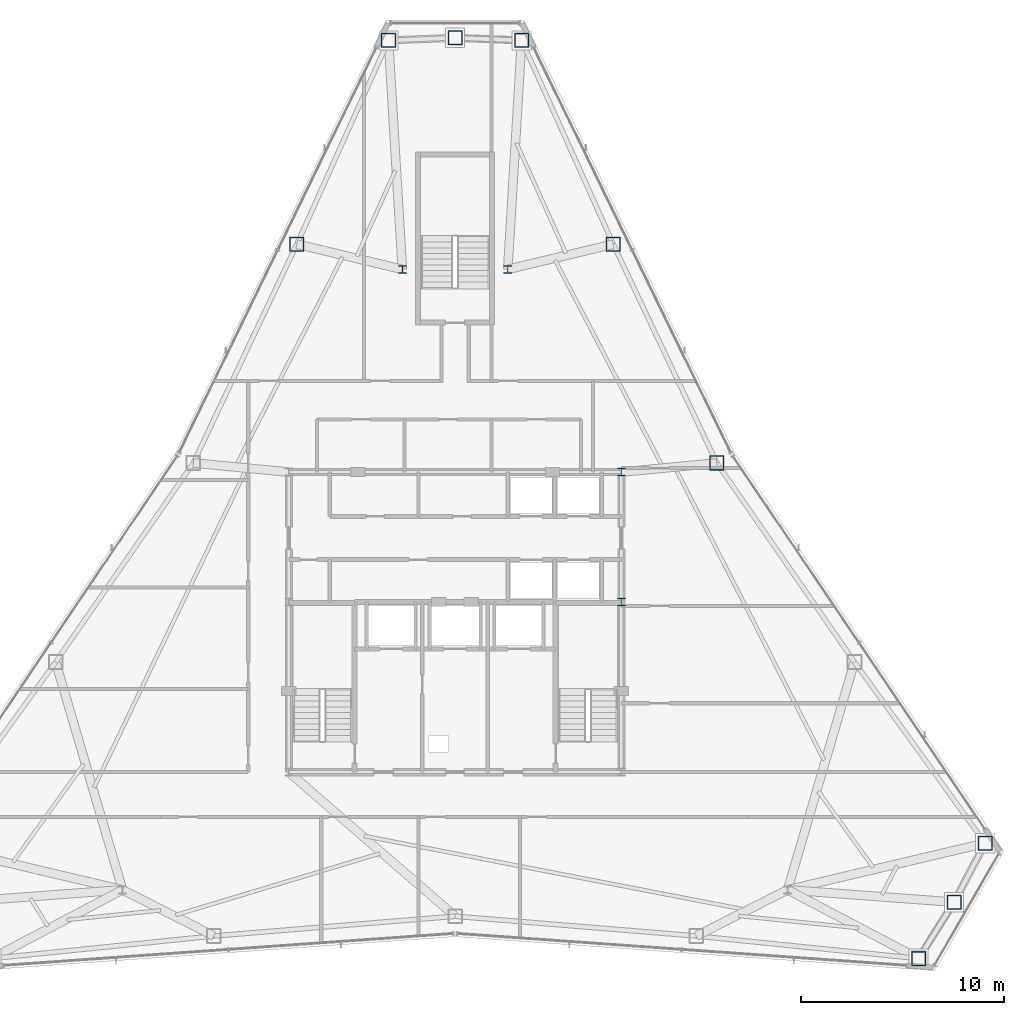
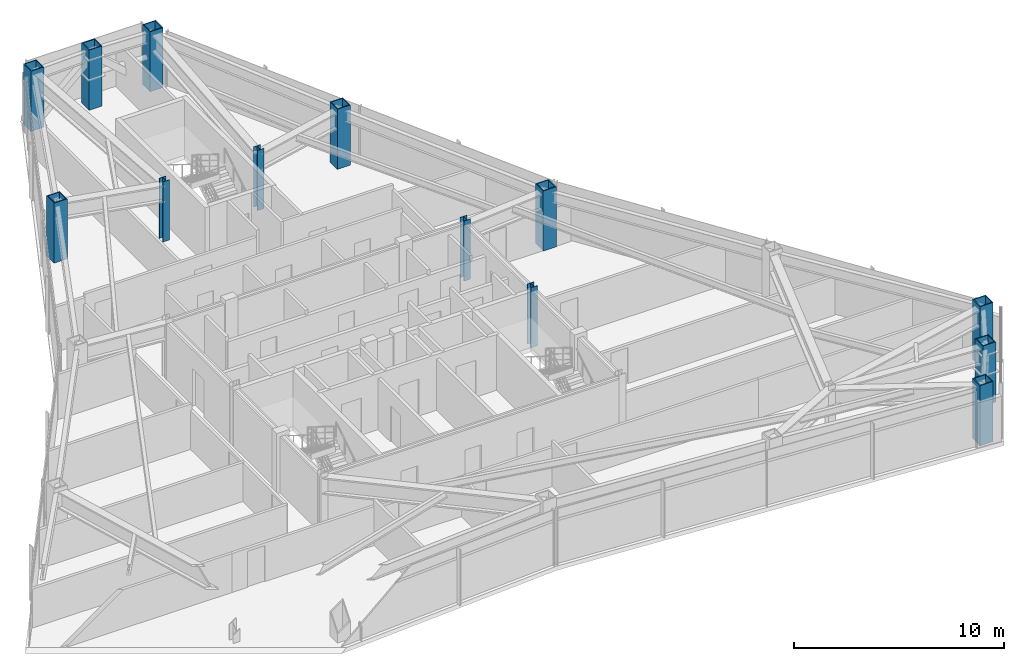
# One storey, part 2 of 12: 13 columns.
"""IFC4 building model written with IfcOpenShell, lengths in metres."""

import ifcopenshell
import ifcopenshell.guid

model = None  # the IFC model being written
_history = None  # IfcOwnerHistory: only IFC2X3 demands one
_inside = {}  # id of a spatial element -> (the spatial element, [elements in it])
_under = {}  # id of a project, library or spatial element -> (it, [spatial elements below it])
_declared = {}  # id of a project -> (the project, [libraries it declares])
_typed = {}  # id of a type object -> (the type object, [elements of that type])
_made_of = {}  # id of a material, layer set ... -> (it, [elements and type objects made of it])


def new_model(schema):
    """Start an empty IFC model of exactly this schema.

    Asked for "IFC4X3", IfcOpenShell would pick the latest addendum, in which some entities
    have other attributes; the version numbers below select the first issue.
    IFC2X3 requires an IfcOwnerHistory on every rooted entity: one is made here for all.
    """
    global model, _history
    if schema == "IFC4X3":
        model = ifcopenshell.file(schema_version=(4, 3, 0, 0))
    else:
        model = ifcopenshell.file(schema=schema)
    _inside.clear()
    _under.clear()
    _declared.clear()
    _typed.clear()
    _made_of.clear()
    _history = None
    if model.schema == "IFC2X3":
        org = make("IfcOrganization", Name="unknown")
        user = make(
            "IfcPersonAndOrganization",
            ThePerson=make("IfcPerson", FamilyName="unknown"),
            TheOrganization=org,
        )
        app = make(
            "IfcApplication",
            ApplicationDeveloper=org,
            Version="unknown",
            ApplicationFullName="unknown",
            ApplicationIdentifier="unknown",
        )
        _history = make(
            "IfcOwnerHistory",
            OwningUser=user,
            OwningApplication=app,
            ChangeAction="ADDED",
            CreationDate=0,
        )
    return model


def make(cls, **values):
    """One entity of the class cls with the attributes given. An attribute that is None is left unset."""
    return model.create_entity(
        cls, **{name: value for name, value in values.items() if value is not None}
    )


def rooted(cls, **values):
    """An entity with a GlobalId (a new one), such as an element, a storey or a relation."""
    return make(cls, GlobalId=ifcopenshell.guid.new(), OwnerHistory=_history, **values)


def si_unit(unit_type, name, prefix=None):
    """IfcSIUnit, for example si_unit("LENGTHUNIT", "METRE", prefix="MILLI")."""
    return make("IfcSIUnit", UnitType=unit_type, Prefix=prefix, Name=name)


def assignment(units):
    """IfcUnitAssignment: the units of a project."""
    return None if units is None else make("IfcUnitAssignment", Units=units)


def point(xyz):
    """IfcCartesianPoint."""
    return None if xyz is None else make("IfcCartesianPoint", Coordinates=xyz)


def direction(xyz):
    """IfcDirection."""
    return None if xyz is None else make("IfcDirection", DirectionRatios=xyz)


def frame(location, z_axis=None, x_axis=None):
    """IfcAxis2Placement3D, a coordinate frame: its origin and axes. An axis left out is left unset."""
    return make(
        "IfcAxis2Placement3D",
        Location=point(location),
        Axis=direction(z_axis),
        RefDirection=direction(x_axis),
    )


def frame_2d(location, x_axis=None):
    """IfcAxis2Placement2D, a coordinate frame in the plane: its origin and x axis."""
    return make(
        "IfcAxis2Placement2D", Location=point(location), RefDirection=direction(x_axis)
    )


def origin():
    """The frame at (0, 0, 0) with its axes left unset."""
    return frame((0.0, 0.0, 0.0))


def origin_2d():
    """The frame at (0, 0) in the plane with its x axis left unset."""
    return frame_2d((0.0, 0.0))


def place(relative_to, where):
    """IfcLocalPlacement: puts the frame where relative to a parent placement (None: the world)."""
    return make(
        "IfcLocalPlacement", PlacementRelTo=relative_to, RelativePlacement=where
    )


def context(
    kind, dimensions, precision=None, world=None, true_north=None, identifier=None
):
    """IfcGeometricRepresentationContext, for example the 3D "Model" context."""
    return make(
        "IfcGeometricRepresentationContext",
        ContextIdentifier=identifier,
        ContextType=kind,
        CoordinateSpaceDimension=dimensions,
        Precision=precision,
        WorldCoordinateSystem=world,
        TrueNorth=true_north,
    )


def subcontext(parent, identifier, kind, view, scale=None):
    """IfcGeometricRepresentationSubContext, for example "Body" below "Model"."""
    return make(
        "IfcGeometricRepresentationSubContext",
        ContextIdentifier=identifier,
        ContextType=kind,
        ParentContext=parent,
        TargetScale=scale,
        TargetView=view,
    )


def project(units=None, contexts=None):
    """IfcProject with its units and contexts."""
    return rooted(
        "IfcProject",
        Name="project",
        RepresentationContexts=contexts,
        UnitsInContext=assignment(units),
    )


def spatial(cls, under=None, at=None, **own):
    """A site, building, storey or space (cls), placed at a placement, below another one or the project."""
    s = rooted(cls, ObjectPlacement=at, **own)
    if under is not None:
        _under.setdefault(under.id(), (under, []))[1].append(s)
    return s


def profile(cls, at=None, kind="AREA", **sizes):
    """A parametric profile (cls). Its sizes go by their IFC names, for example OverallWidth=200.0."""
    return make(cls, ProfileType=kind, Position=at, **sizes)


def hollow_rectangle(**sizes):
    """IfcRectangleHollowProfileDef."""
    return profile("IfcRectangleHollowProfileDef", **sizes)


def i_section(**sizes):
    """IfcIShapeProfileDef."""
    return profile("IfcIShapeProfileDef", **sizes)


def extrude(swept, where, along, depth):
    """IfcExtrudedAreaSolid: the profile swept, set in the frame where, extruded along a direction by depth."""
    return make(
        "IfcExtrudedAreaSolid",
        SweptArea=swept,
        Position=where,
        ExtrudedDirection=direction(along),
        Depth=depth,
    )


def shape(context_of_items, identifier, shape_type, items):
    """IfcShapeRepresentation: the items that make up one representation, for example the "Body"."""
    return make(
        "IfcShapeRepresentation",
        ContextOfItems=context_of_items,
        RepresentationIdentifier=identifier,
        RepresentationType=shape_type,
        Items=items,
    )


def material(Name=None, Category=None):
    """IfcMaterial."""
    return make("IfcMaterial", Name=Name, Category=Category)


def material_profile(
    of_material, cross_section, Name=None, Category=None, Priority=None
):
    """IfcMaterialProfile: a cross section and its material."""
    return make(
        "IfcMaterialProfile",
        Name=Name,
        Material=of_material,
        Profile=cross_section,
        Priority=Priority,
        Category=Category,
    )


def profile_set(profiles, Name=None, composite=None):
    """IfcMaterialProfileSet."""
    return make(
        "IfcMaterialProfileSet",
        Name=Name,
        MaterialProfiles=profiles,
        CompositeProfile=composite,
    )


def made_of(thing, what):
    """Note that an element or type object is made of a material, layer set ...; save() writes the relation."""
    if what is not None:
        _made_of.setdefault(what.id(), (what, []))[1].append(thing)
    return thing


def type_object(cls, material=None, **own):
    """A type object (cls), such as IfcWallType, which elements share."""
    return made_of(rooted(cls, **own), material)


def element(
    cls,
    number,
    at=None,
    inside=None,
    cuts=None,
    type_object=None,
    material=None,
    context=None,
    identifier="Body",
    shape_type=None,
    held_by="IfcProductDefinitionShape",
    body=None,
    shapes=None,
    **own,
):
    """One element of the class cls, such as IfcWall. Its Tag is "e" and its number.

    at: its placement. inside: the storey or other place that contains it. cuts: it is an
    opening in that element (IfcRelVoidsElement). A single representation is given by context,
    identifier, shape_type and body (its items); several are given by shapes. held_by: the class
    of the entity that holds the representations. save() writes the other relations.
    """
    e = rooted(cls, Tag="e%d" % number, ObjectPlacement=at, **own)
    if body is not None:
        shapes = [shape(context, identifier, shape_type, body)]
    if shapes is not None:
        e.Representation = make(held_by, Representations=shapes)
    if inside is not None:
        _inside.setdefault(inside.id(), (inside, []))[1].append(e)
    if cuts is not None:
        rooted(
            "IfcRelVoidsElement", RelatingBuildingElement=cuts, RelatedOpeningElement=e
        )
    if type_object is not None:
        _typed.setdefault(type_object.id(), (type_object, []))[1].append(e)
    return made_of(e, material)


def aggregate(whole, parts):
    """IfcRelAggregates: a whole, such as a stair, and the parts it consists of."""
    return rooted("IfcRelAggregates", RelatingObject=whole, RelatedObjects=parts)


def save(model, path):
    """Write the relations noted so far, then the file.

    IfcRelAggregates (storeys below a building ...), IfcRelContainedInSpatialStructure (elements
    in a storey), IfcRelDefinesByType, IfcRelAssociatesMaterial and IfcRelDeclares: one each for
    every whole, place, type object, material and project.
    """
    for whole, parts in _under.values():
        aggregate(whole, parts)
    for where, things in _inside.values():
        rooted(
            "IfcRelContainedInSpatialStructure",
            RelatedElements=things,
            RelatingStructure=where,
        )
    for kind, things in _typed.values():
        rooted("IfcRelDefinesByType", RelatedObjects=things, RelatingType=kind)
    for what, things in _made_of.values():
        rooted("IfcRelAssociatesMaterial", RelatedObjects=things, RelatingMaterial=what)
    for by, libraries in _declared.values():
        rooted("IfcRelDeclares", RelatingContext=by, RelatedDefinitions=libraries)
    model.write(path)


model = new_model("IFC4")

# Units and contexts
model_context = context("Model", 3, precision=1e-05, world=origin(), true_north=direction((0.0, 1.0)))
body_context = subcontext(model_context, "Body", "Model", "MODEL_VIEW")
ifc_project = project(units=[si_unit("LENGTHUNIT", "METRE"), si_unit("AREAUNIT", "SQUARE_METRE"), si_unit("VOLUMEUNIT", "CUBIC_METRE"), si_unit("PLANEANGLEUNIT", "RADIAN"), si_unit("MASSUNIT", "GRAM", prefix="KILO")], contexts=[model_context])

# Site, building, storey
site_placement = place(None, origin())
site = spatial("IfcSite", under=ifc_project, at=site_placement, CompositionType="ELEMENT")
building_placement = place(site_placement, origin())
building = spatial("IfcBuilding", under=site, at=building_placement, Name="Varakhsha Concourse Tower", CompositionType="ELEMENT")
storey_placement = place(building_placement, frame((0.0, 0.0, 211.89990234375)))
storey = spatial("IfcBuildingStorey", under=building, at=storey_placement, Name="L60", CompositionType="ELEMENT", Elevation=211.89990234375)

# Columns
ifc_material_1 = material(Name="Structural Steel ASTM A992 Grade 50", Category="steel")
ifc_material_profile_1 = material_profile(ifc_material_1, i_section(OverallWidth=0.3740234375, OverallDepth=0.3720703125, WebThickness=0.01611328125, FlangeThickness=0.02587890625, at=origin_2d()), Name="W14X132")
ifc_profile_set_1 = profile_set([ifc_material_profile_1], Name="Structural Steel ASTM A992 Grade 50")
column_type_1 = type_object("IfcColumnType", Name="CL-CORE-W14X132", PredefinedType="COLUMN", material=ifc_profile_set_1)
for number, where, z_axis, x_axis, name in (
    (1, (48.199951171875, 24.800048828125, 0.0), (0.0, 0.0, 1.0), (1.0, 0.0, 0.0), "L60 Core Column CC-ME"),
    (2, (48.199951171875, 31.199951171875, 0.0), (0.0, 0.0, 1.0), (1.0, 0.0, 0.0), "L60 Core Column CC-NE"),
    (3, (37.39990234375, 41.199951171875, 0.0), (0.0, 0.0, 1.0), (1.0, 0.0, 0.0), "L60 Core Column NS-W"),
    (4, (42.60009765625, 41.199951171875, 0.0), (0.0, 0.0, 1.0), (1.0, 0.0, 0.0), "L60 Core Column NS-E"),
):
    element("IfcColumn", number, at=place(storey_placement, frame(where, z_axis=z_axis, x_axis=x_axis)), inside=storey, type_object=column_type_1, Name=name, PredefinedType="COLUMN", context=body_context, shape_type="SweptSolid", body=[
        extrude(i_section(OverallWidth=0.3740234375, OverallDepth=0.3720703125, WebThickness=0.01611328125, FlangeThickness=0.02587890625, at=origin_2d()), origin(), (0.0, 0.0, 1.0), 3.5),
    ])
ifc_material_2 = material(Name="Structural Steel ASTM A572 Grade 50", Category="steel")
ifc_material_profile_2 = material_profile(ifc_material_2, hollow_rectangle(XDim=0.719970703125, YDim=0.719970703125, WallThickness=0.050048828125, at=origin_2d()), Name="BOX 720x720x50")
ifc_profile_set_2 = profile_set([ifc_material_profile_2], Name="Structural Steel ASTM A572 Grade 50")
column_type_2 = type_object("IfcColumnType", Name="CL-TUBE-720", PredefinedType="COLUMN", material=ifc_profile_set_2)
for number, where, z_axis, x_axis, name in (
    (5, (43.283203125, 52.492431640625, 0.0), (0.0, 0.0, 1.0), (1.0, 0.0, 0.0), "L60 Framed-Tube Column TC01"),
    (6, (40.0, 52.61767578125, 0.0), (0.0, 0.0, 1.0), (1.0, 0.0, 0.0), "L60 Framed-Tube Column TC02"),
    (7, (36.716796875, 52.492431640625, 0.0), (0.0, 0.0, 1.0), (1.0, 0.0, 0.0), "L60 Framed-Tube Column TC03"),
    (8, (32.199951171875, 42.442626953125, 0.0), (0.0, 0.0, 1.0), (1.0, 0.0, 0.0), "L60 Framed-Tube Column TC04"),
    (9, (62.8603515625, 7.210205078125, 0.0), (0.0, 0.0, 1.0), (1.0, 0.0, 0.0), "L60 Framed-Tube Column TC13"),
    (10, (64.610595703125, 9.9912109375, 0.0), (0.0, 0.0, 1.0), (1.0, 0.0, 0.0), "L60 Framed-Tube Column TC14"),
    (11, (66.143798828125, 12.897216796875, 0.0), (0.0, 0.0, 1.0), (1.0, 0.0, 0.0), "L60 Framed-Tube Column TC15"),
    (12, (52.90625, 31.651611328125, 0.0), (0.0, 0.0, 1.0), (1.0, 0.0, 0.0), "L60 Framed-Tube Column TC17"),
    (13, (47.800048828125, 42.442626953125, 0.0), (0.0, 0.0, 1.0), (1.0, 0.0, 0.0), "L60 Framed-Tube Column TC18"),
):
    element("IfcColumn", number, at=place(storey_placement, frame(where, z_axis=z_axis, x_axis=x_axis)), inside=storey, type_object=column_type_2, Name=name, PredefinedType="COLUMN", context=body_context, shape_type="SweptSolid", body=[
        extrude(hollow_rectangle(XDim=0.719970703125, YDim=0.719970703125, WallThickness=0.050048828125, at=origin_2d()), origin(), (0.0, 0.0, 1.0), 3.5),
    ])

save(model, "model.ifc")
